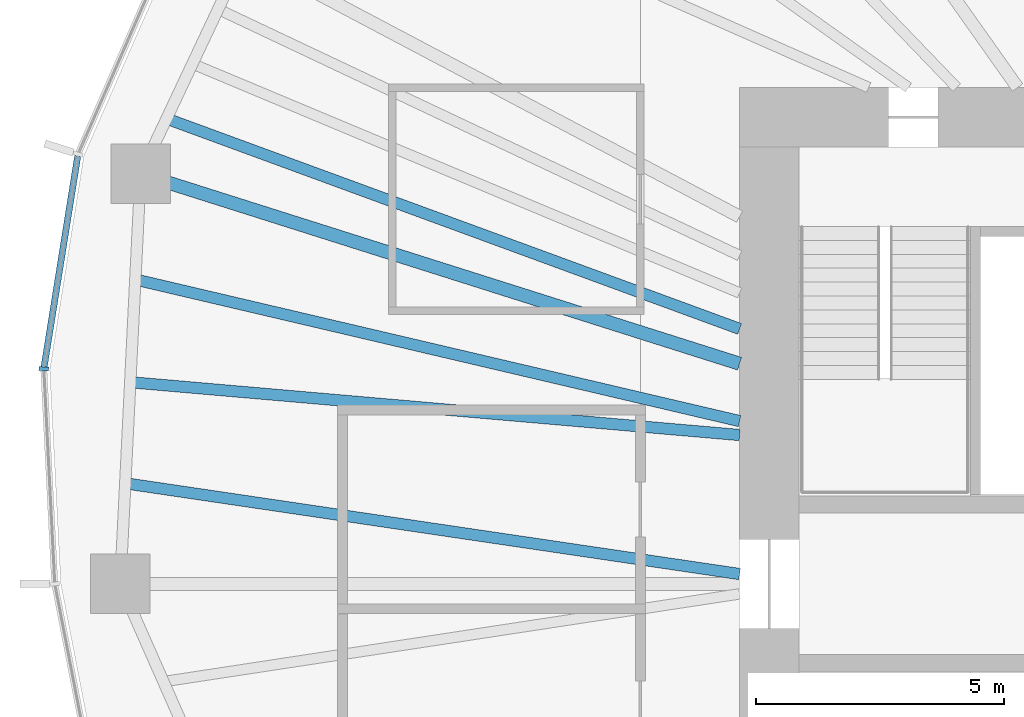
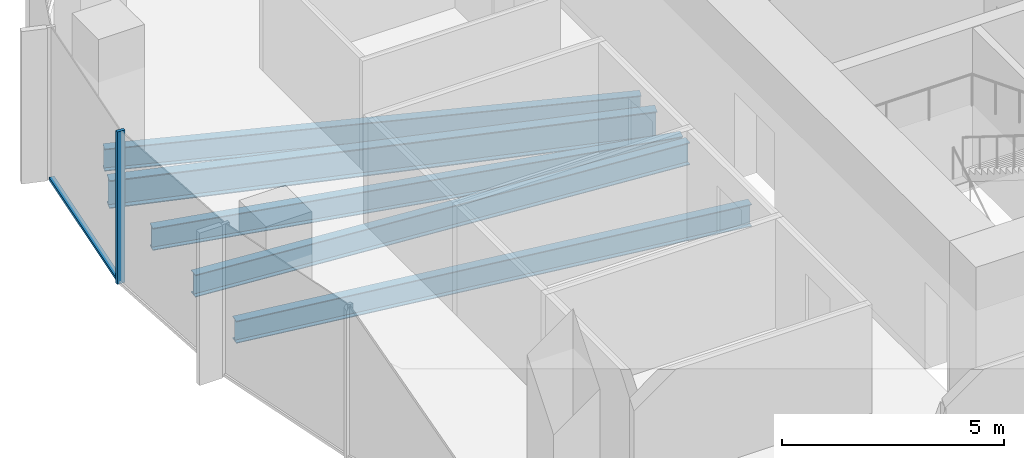
# One storey, part 3 of 11: 5 beams, 2 members, 1 element without a shape of its own.
"""IFC4 building model written with IfcOpenShell, lengths in metres."""

import ifcopenshell
import ifcopenshell.guid

model = None  # the IFC model being written
_history = None  # IfcOwnerHistory: only IFC2X3 demands one
_inside = {}  # id of a spatial element -> (the spatial element, [elements in it])
_under = {}  # id of a project, library or spatial element -> (it, [spatial elements below it])
_declared = {}  # id of a project -> (the project, [libraries it declares])
_typed = {}  # id of a type object -> (the type object, [elements of that type])
_made_of = {}  # id of a material, layer set ... -> (it, [elements and type objects made of it])


def new_model(schema):
    """Start an empty IFC model of exactly this schema.

    Asked for "IFC4X3", IfcOpenShell would pick the latest addendum, in which some entities
    have other attributes; the version numbers below select the first issue.
    IFC2X3 requires an IfcOwnerHistory on every rooted entity: one is made here for all.
    """
    global model, _history
    if schema == "IFC4X3":
        model = ifcopenshell.file(schema_version=(4, 3, 0, 0))
    else:
        model = ifcopenshell.file(schema=schema)
    _inside.clear()
    _under.clear()
    _declared.clear()
    _typed.clear()
    _made_of.clear()
    _history = None
    if model.schema == "IFC2X3":
        org = make("IfcOrganization", Name="unknown")
        user = make(
            "IfcPersonAndOrganization",
            ThePerson=make("IfcPerson", FamilyName="unknown"),
            TheOrganization=org,
        )
        app = make(
            "IfcApplication",
            ApplicationDeveloper=org,
            Version="unknown",
            ApplicationFullName="unknown",
            ApplicationIdentifier="unknown",
        )
        _history = make(
            "IfcOwnerHistory",
            OwningUser=user,
            OwningApplication=app,
            ChangeAction="ADDED",
            CreationDate=0,
        )
    return model


def make(cls, **values):
    """One entity of the class cls with the attributes given. An attribute that is None is left unset."""
    return model.create_entity(
        cls, **{name: value for name, value in values.items() if value is not None}
    )


def rooted(cls, **values):
    """An entity with a GlobalId (a new one), such as an element, a storey or a relation."""
    return make(cls, GlobalId=ifcopenshell.guid.new(), OwnerHistory=_history, **values)


def si_unit(unit_type, name, prefix=None):
    """IfcSIUnit, for example si_unit("LENGTHUNIT", "METRE", prefix="MILLI")."""
    return make("IfcSIUnit", UnitType=unit_type, Prefix=prefix, Name=name)


def assignment(units):
    """IfcUnitAssignment: the units of a project."""
    return None if units is None else make("IfcUnitAssignment", Units=units)


def point(xyz):
    """IfcCartesianPoint."""
    return None if xyz is None else make("IfcCartesianPoint", Coordinates=xyz)


def direction(xyz):
    """IfcDirection."""
    return None if xyz is None else make("IfcDirection", DirectionRatios=xyz)


def frame(location, z_axis=None, x_axis=None):
    """IfcAxis2Placement3D, a coordinate frame: its origin and axes. An axis left out is left unset."""
    return make(
        "IfcAxis2Placement3D",
        Location=point(location),
        Axis=direction(z_axis),
        RefDirection=direction(x_axis),
    )


def frame_2d(location, x_axis=None):
    """IfcAxis2Placement2D, a coordinate frame in the plane: its origin and x axis."""
    return make(
        "IfcAxis2Placement2D", Location=point(location), RefDirection=direction(x_axis)
    )


def origin():
    """The frame at (0, 0, 0) with its axes left unset."""
    return frame((0.0, 0.0, 0.0))


def origin_2d():
    """The frame at (0, 0) in the plane with its x axis left unset."""
    return frame_2d((0.0, 0.0))


def place(relative_to, where):
    """IfcLocalPlacement: puts the frame where relative to a parent placement (None: the world)."""
    return make(
        "IfcLocalPlacement", PlacementRelTo=relative_to, RelativePlacement=where
    )


def context(
    kind, dimensions, precision=None, world=None, true_north=None, identifier=None
):
    """IfcGeometricRepresentationContext, for example the 3D "Model" context."""
    return make(
        "IfcGeometricRepresentationContext",
        ContextIdentifier=identifier,
        ContextType=kind,
        CoordinateSpaceDimension=dimensions,
        Precision=precision,
        WorldCoordinateSystem=world,
        TrueNorth=true_north,
    )


def subcontext(parent, identifier, kind, view, scale=None):
    """IfcGeometricRepresentationSubContext, for example "Body" below "Model"."""
    return make(
        "IfcGeometricRepresentationSubContext",
        ContextIdentifier=identifier,
        ContextType=kind,
        ParentContext=parent,
        TargetScale=scale,
        TargetView=view,
    )


def project(units=None, contexts=None):
    """IfcProject with its units and contexts."""
    return rooted(
        "IfcProject",
        Name="project",
        RepresentationContexts=contexts,
        UnitsInContext=assignment(units),
    )


def spatial(cls, under=None, at=None, **own):
    """A site, building, storey or space (cls), placed at a placement, below another one or the project."""
    s = rooted(cls, ObjectPlacement=at, **own)
    if under is not None:
        _under.setdefault(under.id(), (under, []))[1].append(s)
    return s


def profile(cls, at=None, kind="AREA", **sizes):
    """A parametric profile (cls). Its sizes go by their IFC names, for example OverallWidth=200.0."""
    return make(cls, ProfileType=kind, Position=at, **sizes)


def rectangle(**sizes):
    """IfcRectangleProfileDef."""
    return profile("IfcRectangleProfileDef", **sizes)


def i_section(**sizes):
    """IfcIShapeProfileDef."""
    return profile("IfcIShapeProfileDef", **sizes)


def extrude(swept, where, along, depth):
    """IfcExtrudedAreaSolid: the profile swept, set in the frame where, extruded along a direction by depth."""
    return make(
        "IfcExtrudedAreaSolid",
        SweptArea=swept,
        Position=where,
        ExtrudedDirection=direction(along),
        Depth=depth,
    )


def shape(context_of_items, identifier, shape_type, items):
    """IfcShapeRepresentation: the items that make up one representation, for example the "Body"."""
    return make(
        "IfcShapeRepresentation",
        ContextOfItems=context_of_items,
        RepresentationIdentifier=identifier,
        RepresentationType=shape_type,
        Items=items,
    )


def material(Name=None, Category=None):
    """IfcMaterial."""
    return make("IfcMaterial", Name=Name, Category=Category)


def material_profile(
    of_material, cross_section, Name=None, Category=None, Priority=None
):
    """IfcMaterialProfile: a cross section and its material."""
    return make(
        "IfcMaterialProfile",
        Name=Name,
        Material=of_material,
        Profile=cross_section,
        Priority=Priority,
        Category=Category,
    )


def profile_set(profiles, Name=None, composite=None):
    """IfcMaterialProfileSet."""
    return make(
        "IfcMaterialProfileSet",
        Name=Name,
        MaterialProfiles=profiles,
        CompositeProfile=composite,
    )


def made_of(thing, what):
    """Note that an element or type object is made of a material, layer set ...; save() writes the relation."""
    if what is not None:
        _made_of.setdefault(what.id(), (what, []))[1].append(thing)
    return thing


def type_object(cls, material=None, **own):
    """A type object (cls), such as IfcWallType, which elements share."""
    return made_of(rooted(cls, **own), material)


def element(
    cls,
    number,
    at=None,
    inside=None,
    cuts=None,
    type_object=None,
    material=None,
    context=None,
    identifier="Body",
    shape_type=None,
    held_by="IfcProductDefinitionShape",
    body=None,
    shapes=None,
    **own,
):
    """One element of the class cls, such as IfcWall. Its Tag is "e" and its number.

    at: its placement. inside: the storey or other place that contains it. cuts: it is an
    opening in that element (IfcRelVoidsElement). A single representation is given by context,
    identifier, shape_type and body (its items); several are given by shapes. held_by: the class
    of the entity that holds the representations. save() writes the other relations.
    """
    e = rooted(cls, Tag="e%d" % number, ObjectPlacement=at, **own)
    if body is not None:
        shapes = [shape(context, identifier, shape_type, body)]
    if shapes is not None:
        e.Representation = make(held_by, Representations=shapes)
    if inside is not None:
        _inside.setdefault(inside.id(), (inside, []))[1].append(e)
    if cuts is not None:
        rooted(
            "IfcRelVoidsElement", RelatingBuildingElement=cuts, RelatedOpeningElement=e
        )
    if type_object is not None:
        _typed.setdefault(type_object.id(), (type_object, []))[1].append(e)
    return made_of(e, material)


def aggregate(whole, parts):
    """IfcRelAggregates: a whole, such as a stair, and the parts it consists of."""
    return rooted("IfcRelAggregates", RelatingObject=whole, RelatedObjects=parts)


def save(model, path):
    """Write the relations noted so far, then the file.

    IfcRelAggregates (storeys below a building ...), IfcRelContainedInSpatialStructure (elements
    in a storey), IfcRelDefinesByType, IfcRelAssociatesMaterial and IfcRelDeclares: one each for
    every whole, place, type object, material and project.
    """
    for whole, parts in _under.values():
        aggregate(whole, parts)
    for where, things in _inside.values():
        rooted(
            "IfcRelContainedInSpatialStructure",
            RelatedElements=things,
            RelatingStructure=where,
        )
    for kind, things in _typed.values():
        rooted("IfcRelDefinesByType", RelatedObjects=things, RelatingType=kind)
    for what, things in _made_of.values():
        rooted("IfcRelAssociatesMaterial", RelatedObjects=things, RelatingMaterial=what)
    for by, libraries in _declared.values():
        rooted("IfcRelDeclares", RelatingContext=by, RelatedDefinitions=libraries)
    model.write(path)


model = new_model("IFC4")

# Units and contexts
model_context = context("Model", 3, precision=1e-05, world=origin(), true_north=direction((0.0, 1.0)))
body_context = subcontext(model_context, "Body", "Model", "MODEL_VIEW")
ifc_project = project(units=[si_unit("LENGTHUNIT", "METRE"), si_unit("AREAUNIT", "SQUARE_METRE"), si_unit("VOLUMEUNIT", "CUBIC_METRE"), si_unit("PLANEANGLEUNIT", "RADIAN"), si_unit("MASSUNIT", "GRAM", prefix="KILO")], contexts=[model_context])

# Site, building, storey
site_placement = place(None, origin())
site = spatial("IfcSite", under=ifc_project, at=site_placement, CompositionType="ELEMENT")
building_placement = place(site_placement, origin())
building = spatial("IfcBuilding", under=site, at=building_placement, Name="Ghaith Harvest Tower", CompositionType="ELEMENT")
storey_placement = place(building_placement, frame((0.0, 0.0, 241.0)))
storey = spatial("IfcBuildingStorey", under=building, at=storey_placement, Name="L53", CompositionType="ELEMENT", Elevation=241.0)

# Curtain wall, members
ifc_material_1 = material(Name="Black anodised aluminium and fritted glass", Category="aluminium")
curtain_wall_type = type_object("IfcCurtainWallType", Name="CW-H CURTAIN WALL", PredefinedType="NOTDEFINED", material=ifc_material_1)
curtain_wall_placement = place(storey_placement, origin())
curtain_wall = element("IfcCurtainWall", 1, at=curtain_wall_placement, inside=storey, type_object=curtain_wall_type, Name="Curtain wall CW-H bay 10 L53", PredefinedType="NOTDEFINED")
ifc_material_2 = material(Name="Aluminium, black anodised", Category="aluminium")
ifc_material_profile_1 = material_profile(ifc_material_2, rectangle(XDim=0.080078125, YDim=0.199951171875, at=origin_2d()), Name="CW-H MULLION 80x200")
ifc_profile_set_1 = profile_set([ifc_material_profile_1], Name="Aluminium, black anodised")
member_type_1 = type_object("IfcMemberType", Name="CW-H MULLION 80x200", PredefinedType="MULLION", material=ifc_profile_set_1)
member_1_placement = place(storey_placement, frame((-28.015869140625, 4.333251953125, 0.0), z_axis=(0.0, 0.0, 1.0), x_axis=(-0.054116047044, -0.998534653105, 0.0)))
member_1 = element("IfcMember", 2, at=member_1_placement, type_object=member_type_1, Name="CW-H mullion 2 bay 10 L53", PredefinedType="MULLION", context=body_context, shape_type="SweptSolid", body=[
    extrude(rectangle(XDim=0.080078125, YDim=0.199951171875, at=origin_2d()), origin(), (0.0, 0.0, 1.0), 4.199951171875),
])
ifc_material_3 = material(Name="Aluminium, black anodised", Category="aluminium")
ifc_material_profile_2 = material_profile(ifc_material_3, rectangle(XDim=0.1298828125, YDim=0.080078125, at=origin_2d()), Name="CW-H TRANSOM 130x80")
ifc_profile_set_2 = profile_set([ifc_material_profile_2], Name="Aluminium, black anodised")
member_type_2 = type_object("IfcMemberType", Name="CW-H TRANSOM 130x80", PredefinedType="USERDEFINED", material=ifc_profile_set_2)
member_2_placement = place(storey_placement, frame((-27.33203125, 8.62060546875, 0.0400390625), z_axis=(-0.157492444441, -0.98752019217, 0.0), x_axis=(0.98752019217, -0.157492444441, 0.0)))
member_2 = element("IfcMember", 3, at=member_2_placement, type_object=member_type_2, Name="CW-H transom 1 bay 10 L53", ObjectType="TRANSOM", PredefinedType="USERDEFINED", context=body_context, shape_type="SweptSolid", body=[
    extrude(rectangle(XDim=0.1298828125, YDim=0.080078125, at=origin_2d()), origin(), (0.0, 0.0, 1.0), 4.3017578125),
])
aggregate(curtain_wall, [member_2, member_1])

# Beams
ifc_material_4 = material(Name="Steel ASTM A992 Grade 50", Category="steel")
ifc_material_profile_3 = material_profile(ifc_material_4, i_section(OverallWidth=0.26806640625, OverallDepth=0.77001953125, WebThickness=0.015625, FlangeThickness=0.025390625, at=origin_2d()), Name="W760X196")
ifc_profile_set_3 = profile_set([ifc_material_profile_3], Name="Steel ASTM A992 Grade 50")
beam_type_1 = type_object("IfcBeamType", Name="G760-196 W760X196", PredefinedType="BEAM", material=ifc_profile_set_3)
beam_1_placement = place(storey_placement, frame((-14.0, 4.43701171875, -0.554931640625), z_axis=(-0.953278738841, 0.302092115212, 0.0), x_axis=(-0.302092115212, -0.953278738841, 0.0)))
element("IfcBeam", 4, at=beam_1_placement, inside=storey, type_object=beam_type_1, Name="Radial girder G10 L53", PredefinedType="BEAM", context=body_context, shape_type="SweptSolid", body=[
    extrude(i_section(OverallWidth=0.26806640625, OverallDepth=0.77001953125, WebThickness=0.015625, FlangeThickness=0.025390625, at=origin_2d()), origin(), (0.0, 0.0, 1.0), 12.658203125),
])
ifc_material_5 = material(Name="Steel ASTM A992 Grade 50", Category="steel")
ifc_material_profile_4 = material_profile(ifc_material_5, i_section(OverallWidth=0.22900390625, OverallDepth=0.612060546875, WebThickness=0.011962890625, FlangeThickness=0.01953125, at=origin_2d()), Name="W610X125")
ifc_profile_set_4 = profile_set([ifc_material_profile_4], Name="Steel ASTM A992 Grade 50")
beam_type_2 = type_object("IfcBeamType", Name="J610-125 W610X125", PredefinedType="JOIST", material=ifc_profile_set_4)
beam_2_placement = place(storey_placement, frame((-14.0, 5.137939453125, -0.47607421875), z_axis=(-0.938775301049, 0.344530019216, 0.0), x_axis=(-0.344530019216, -0.938775301049, 0.0)))
element("IfcBeam", 5, at=beam_2_placement, inside=storey, type_object=beam_type_2, Name="Joist J09.3 L53", PredefinedType="JOIST", context=body_context, shape_type="SweptSolid", body=[
    extrude(i_section(OverallWidth=0.22900390625, OverallDepth=0.612060546875, WebThickness=0.011962890625, FlangeThickness=0.01953125, at=origin_2d()), origin(), (0.0, 0.0, 1.0), 12.295166015625),
])
beam_3_placement = place(storey_placement, frame((-14.0, 3.280517578125, -0.47607421875), z_axis=(-0.973621665777, 0.228168472691, 0.0), x_axis=(-0.228168472691, -0.973621665777, 0.0)))
element("IfcBeam", 6, at=beam_3_placement, inside=storey, type_object=beam_type_2, Name="Joist J10.1 L53", PredefinedType="JOIST", context=body_context, shape_type="SweptSolid", body=[
    extrude(i_section(OverallWidth=0.22900390625, OverallDepth=0.612060546875, WebThickness=0.011962890625, FlangeThickness=0.01953125, at=origin_2d()), origin(), (0.0, 0.0, 1.0), 12.501953125),
])
beam_4_placement = place(storey_placement, frame((-14.0, 3.0, -0.47607421875), z_axis=(-0.996265900996, 0.086338024716, 0.0), x_axis=(-0.086338024716, -0.996265900996, 0.0)))
element("IfcBeam", 7, at=beam_4_placement, inside=storey, type_object=beam_type_2, Name="Joist J10.2 L53", PredefinedType="JOIST", context=body_context, shape_type="SweptSolid", body=[
    extrude(i_section(OverallWidth=0.22900390625, OverallDepth=0.612060546875, WebThickness=0.011962890625, FlangeThickness=0.01953125, at=origin_2d()), origin(), (0.0, 0.0, 1.0), 12.3203125),
])
beam_5_placement = place(storey_placement, frame((-14.0, 0.199951171875, -0.47607421875), z_axis=(-0.989269378665, 0.146103033631, 0.0), x_axis=(-0.146103033631, -0.989269378665, 0.0)))
element("IfcBeam", 8, at=beam_5_placement, inside=storey, type_object=beam_type_2, Name="Joist J10.3 L53", PredefinedType="JOIST", context=body_context, shape_type="SweptSolid", body=[
    extrude(i_section(OverallWidth=0.22900390625, OverallDepth=0.612060546875, WebThickness=0.011962890625, FlangeThickness=0.01953125, at=origin_2d()), origin(), (0.0, 0.0, 1.0), 12.50927734375),
])

save(model, "model.ifc")
